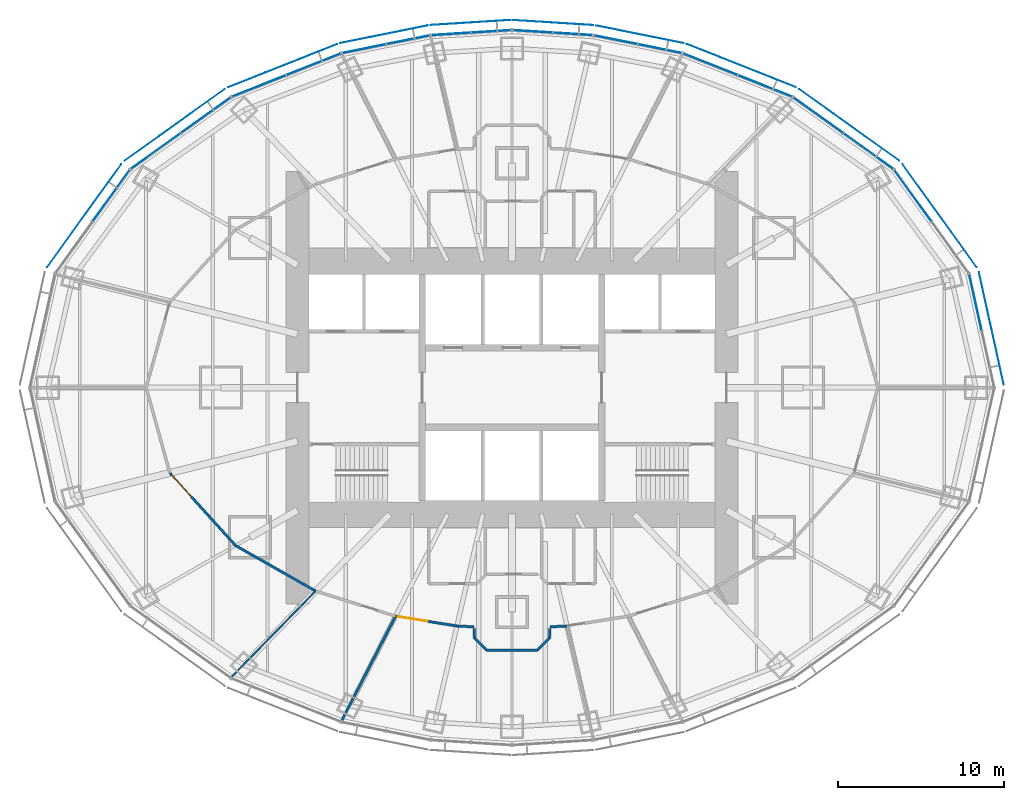
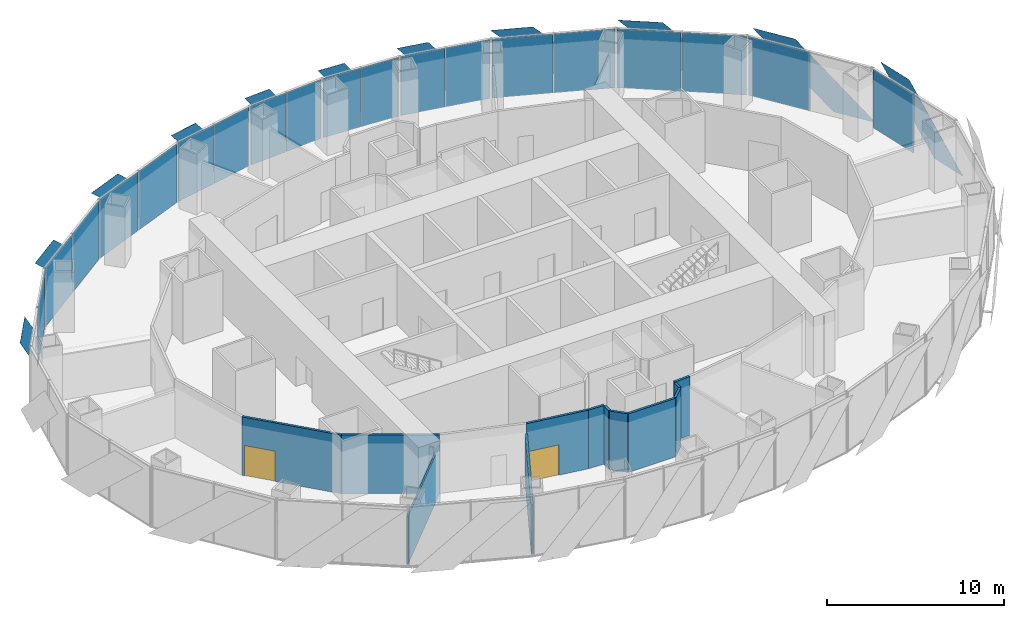
# One storey, part 10 of 18: 30 plates, 12 walls, 2 doors, 2 openings, 11 elements without a shape of their own.
"""IFC4 building model written with IfcOpenShell, lengths in metres."""

from ifc_helpers import new_model, si_unit, direction, frame, frame_2d, origin, origin_2d, place, context, subcontext, project, spatial, polyline, rectangle, outline, extrude, material, layer, layer_set, type_object, element, fill, aggregate, save


model = new_model("IFC4")

# Units and contexts
model_context = context("Model", 3, precision=1e-05, world=origin(), true_north=direction((0.0, 1.0)))
body_context = subcontext(model_context, "Body", "Model", "MODEL_VIEW")
ifc_project = project(units=[si_unit("LENGTHUNIT", "METRE"), si_unit("AREAUNIT", "SQUARE_METRE"), si_unit("VOLUMEUNIT", "CUBIC_METRE"), si_unit("PLANEANGLEUNIT", "RADIAN"), si_unit("MASSUNIT", "GRAM", prefix="KILO")], contexts=[model_context])

# Site, building, storey
site_placement = place(None, origin())
site = spatial("IfcSite", under=ifc_project, at=site_placement, CompositionType="ELEMENT")
building_placement = place(site_placement, origin())
building = spatial("IfcBuilding", under=site, at=building_placement, Name="Lantaw Convention Tower", CompositionType="ELEMENT")
storey_placement = place(building_placement, frame((0.0, 0.0, 167.800048828125)))
storey = spatial("IfcBuildingStorey", under=building, at=storey_placement, Name="L39", CompositionType="ELEMENT", Elevation=167.800048828125)

# Curtain wall, plate
ifc_material_1 = material(Name="Aluminium framed curtain wall", Category="aluminium")
curtain_wall_type = type_object("IfcCurtainWallType", Name="Office curtain wall low rise, pale aluminium", PredefinedType="USERDEFINED", material=ifc_material_1)
curtain_wall_1_placement = place(storey_placement, origin())
curtain_wall_1 = element("IfcCurtainWall", 1, at=curtain_wall_1_placement, inside=storey, type_object=curtain_wall_type, Name="Office curtain wall low rise, pale aluminium L39", ObjectType="UNITISED CURTAIN WALL", PredefinedType="USERDEFINED")
ifc_material_2 = material(Name="Clear insulating glass", Category="glass")
ifc_layer_1 = layer(ifc_material_2, 0.028076171875)
ifc_layer_set_1 = layer_set([ifc_layer_1], Name="CW-O1 panel 28")
plate_type_1 = type_object("IfcPlateType", Name="CW-O1 panel 28", PredefinedType="CURTAIN_PANEL", material=ifc_layer_set_1)
plate_1_placement = place(storey_placement, frame((27.868896484375, 5.1240234375, -0.0849609375), z_axis=(0.0, 0.0, 1.0), x_axis=(-0.215546166174, 0.9764936509, 0.0)))
plate_1 = element("IfcPlate", 2, at=plate_1_placement, type_object=plate_type_1, Name="CW-O1 panel 2.1", PredefinedType="CURTAIN_PANEL", context=body_context, shape_type="SweptSolid", body=[
    extrude(rectangle(XDim=3.41162109375, YDim=0.028076171875, at=origin_2d()), origin(), (0.0, 0.0, 1.0), 4.070068359375),
])
aggregate(curtain_wall_1, [plate_1])

curtain_wall_2_placement = place(storey_placement, origin())
curtain_wall_2 = element("IfcCurtainWall", 3, at=curtain_wall_2_placement, inside=storey, type_object=curtain_wall_type, Name="Office curtain wall low rise, pale aluminium L39", ObjectType="UNITISED CURTAIN WALL", PredefinedType="USERDEFINED")
plate_2_placement = place(storey_placement, frame((24.108154296875, 11.5439453125, -0.0849609375), z_axis=(0.0, 0.0, 1.0), x_axis=(-0.584512597221, 0.811384633629, 0.0)))
plate_2 = element("IfcPlate", 4, at=plate_2_placement, type_object=plate_type_1, Name="CW-O1 panel 2.1", PredefinedType="CURTAIN_PANEL", context=body_context, shape_type="SweptSolid", body=[
    extrude(rectangle(XDim=3.767333984375, YDim=0.028076171875, at=origin_2d()), origin(), (0.0, 0.0, 1.0), 4.070068359375),
])
aggregate(curtain_wall_2, [plate_2])

# Curtain wall, plates
curtain_wall_3_placement = place(storey_placement, origin())
curtain_wall_3 = element("IfcCurtainWall", 5, at=curtain_wall_3_placement, inside=storey, type_object=curtain_wall_type, Name="Office curtain wall low rise, pale aluminium L39", ObjectType="UNITISED CURTAIN WALL", PredefinedType="USERDEFINED")
plate_3_placement = place(storey_placement, frame((21.43408203125, 14.2236328125, -0.0849609375), z_axis=(0.0, 0.0, 1.0), x_axis=(-0.813208325995, 0.581972695693, 0.0)))
plate_3 = element("IfcPlate", 6, at=plate_3_placement, type_object=plate_type_1, Name="CW-O1 panel 1.1", PredefinedType="CURTAIN_PANEL", context=body_context, shape_type="SweptSolid", body=[
    extrude(rectangle(XDim=3.645263671875, YDim=0.028076171875, at=origin_2d()), origin(), (0.0, 0.0, 1.0), 4.070068359375),
])
plate_4_placement = place(storey_placement, frame((18.416748046875, 16.383056640625, -0.0849609375), z_axis=(0.0, 0.0, 1.0), x_axis=(-0.813208325995, 0.581972695693, 0.0)))
plate_4 = element("IfcPlate", 7, at=plate_4_placement, type_object=plate_type_1, Name="CW-O1 panel 2.1", PredefinedType="CURTAIN_PANEL", context=body_context, shape_type="SweptSolid", body=[
    extrude(rectangle(XDim=3.645263671875, YDim=0.028076171875, at=origin_2d()), origin(), (0.0, 0.0, 1.0), 4.070068359375),
])
aggregate(curtain_wall_3, [plate_3, plate_4])

curtain_wall_4_placement = place(storey_placement, origin())
curtain_wall_4 = element("IfcCurtainWall", 8, at=curtain_wall_4_placement, inside=storey, type_object=curtain_wall_type, Name="Office curtain wall low rise, pale aluminium L39", ObjectType="UNITISED CURTAIN WALL", PredefinedType="USERDEFINED")
plate_5_placement = place(storey_placement, frame((15.208251953125, 18.145263671875, -0.0849609375), z_axis=(0.0, 0.0, 1.0), x_axis=(-0.929547687544, 0.368701907483, 0.0)))
plate_5 = element("IfcPlate", 9, at=plate_5_placement, type_object=plate_type_1, Name="CW-O1 panel 1.1", PredefinedType="CURTAIN_PANEL", context=body_context, shape_type="SweptSolid", body=[
    extrude(rectangle(XDim=3.470703125, YDim=0.028076171875, at=origin_2d()), origin(), (0.0, 0.0, 1.0), 4.070068359375),
])
plate_6_placement = place(storey_placement, frame((11.921630859375, 19.448974609375, -0.0849609375), z_axis=(0.0, 0.0, 1.0), x_axis=(-0.929547687544, 0.368701907483, 0.0)))
plate_6 = element("IfcPlate", 10, at=plate_6_placement, type_object=plate_type_1, Name="CW-O1 panel 2.1", PredefinedType="CURTAIN_PANEL", context=body_context, shape_type="SweptSolid", body=[
    extrude(rectangle(XDim=3.470703125, YDim=0.028076171875, at=origin_2d()), origin(), (0.0, 0.0, 1.0), 4.070068359375),
])
aggregate(curtain_wall_4, [plate_5, plate_6])

curtain_wall_5_placement = place(storey_placement, origin())
curtain_wall_5 = element("IfcCurtainWall", 11, at=curtain_wall_5_placement, inside=storey, type_object=curtain_wall_type, Name="Office curtain wall low rise, pale aluminium L39", ObjectType="UNITISED CURTAIN WALL", PredefinedType="USERDEFINED")
plate_7_placement = place(storey_placement, frame((8.893310546875, 20.3857421875, -0.0849609375), z_axis=(0.0, 0.0, 1.0), x_axis=(-0.980301514912, 0.197506809659, 0.0)))
plate_7 = element("IfcPlate", 12, at=plate_7_placement, type_object=plate_type_1, Name="CW-O1 panel 1.1", PredefinedType="CURTAIN_PANEL", context=body_context, shape_type="SweptSolid", body=[
    extrude(rectangle(XDim=2.634033203125, YDim=0.028076171875, at=origin_2d()), origin(), (0.0, 0.0, 1.0), 4.070068359375),
])
plate_8_placement = place(storey_placement, frame((6.247314453125, 20.9189453125, -0.0849609375), z_axis=(0.0, 0.0, 1.0), x_axis=(-0.980301514912, 0.197506809659, 0.0)))
plate_8 = element("IfcPlate", 13, at=plate_8_placement, type_object=plate_type_1, Name="CW-O1 panel 2.1", PredefinedType="CURTAIN_PANEL", context=body_context, shape_type="SweptSolid", body=[
    extrude(rectangle(XDim=2.634033203125, YDim=0.028076171875, at=origin_2d()), origin(), (0.0, 0.0, 1.0), 4.070068359375),
])
aggregate(curtain_wall_5, [plate_7, plate_8])

curtain_wall_6_placement = place(storey_placement, origin())
curtain_wall_6 = element("IfcCurtainWall", 14, at=curtain_wall_6_placement, inside=storey, type_object=curtain_wall_type, Name="Office curtain wall low rise, pale aluminium L39", ObjectType="UNITISED CURTAIN WALL", PredefinedType="USERDEFINED")
plate_9_placement = place(storey_placement, frame((3.653076171875, 21.269775390625, -0.0849609375), z_axis=(0.0, 0.0, 1.0), x_axis=(-0.998022035978, 0.062865059466, 0.0)))
plate_9 = element("IfcPlate", 15, at=plate_9_placement, type_object=plate_type_1, Name="CW-O1 panel 1.1", PredefinedType="CURTAIN_PANEL", context=body_context, shape_type="SweptSolid", body=[
    extrude(rectangle(XDim=2.353515625, YDim=0.028076171875, at=origin_2d()), origin(), (0.0, 0.0, 1.0), 4.070068359375),
])
plate_10_placement = place(storey_placement, frame((1.2392578125, 21.421875, -0.0849609375), z_axis=(0.0, 0.0, 1.0), x_axis=(-0.998022035978, 0.062865059466, 0.0)))
plate_10 = element("IfcPlate", 16, at=plate_10_placement, type_object=plate_type_1, Name="CW-O1 panel 2.1", PredefinedType="CURTAIN_PANEL", context=body_context, shape_type="SweptSolid", body=[
    extrude(rectangle(XDim=2.353515625, YDim=0.028076171875, at=origin_2d()), origin(), (0.0, 0.0, 1.0), 4.070068359375),
])
aggregate(curtain_wall_6, [plate_9, plate_10])

curtain_wall_7_placement = place(storey_placement, origin())
curtain_wall_7 = element("IfcCurtainWall", 17, at=curtain_wall_7_placement, inside=storey, type_object=curtain_wall_type, Name="Office curtain wall low rise, pale aluminium L39", ObjectType="UNITISED CURTAIN WALL", PredefinedType="USERDEFINED")
plate_11_placement = place(storey_placement, frame((-1.2392578125, 21.421875, -0.0849609375), z_axis=(0.0, 0.0, 1.0), x_axis=(-0.998022035978, -0.062865059466, 0.0)))
plate_11 = element("IfcPlate", 18, at=plate_11_placement, type_object=plate_type_1, Name="CW-O1 panel 1.1", PredefinedType="CURTAIN_PANEL", context=body_context, shape_type="SweptSolid", body=[
    extrude(rectangle(XDim=2.353515625, YDim=0.028076171875, at=origin_2d()), origin(), (0.0, 0.0, 1.0), 4.070068359375),
])
plate_12_placement = place(storey_placement, frame((-3.653076171875, 21.269775390625, -0.0849609375), z_axis=(0.0, 0.0, 1.0), x_axis=(-0.998022035978, -0.062865059466, 0.0)))
plate_12 = element("IfcPlate", 19, at=plate_12_placement, type_object=plate_type_1, Name="CW-O1 panel 2.1", PredefinedType="CURTAIN_PANEL", context=body_context, shape_type="SweptSolid", body=[
    extrude(rectangle(XDim=2.353515625, YDim=0.028076171875, at=origin_2d()), origin(), (0.0, 0.0, 1.0), 4.070068359375),
])
aggregate(curtain_wall_7, [plate_11, plate_12])

curtain_wall_8_placement = place(storey_placement, origin())
curtain_wall_8 = element("IfcCurtainWall", 20, at=curtain_wall_8_placement, inside=storey, type_object=curtain_wall_type, Name="Office curtain wall low rise, pale aluminium L39", ObjectType="UNITISED CURTAIN WALL", PredefinedType="USERDEFINED")
plate_13_placement = place(storey_placement, frame((-6.247314453125, 20.9189453125, -0.0849609375), z_axis=(0.0, 0.0, 1.0), x_axis=(-0.980301514912, -0.197506809659, 0.0)))
plate_13 = element("IfcPlate", 21, at=plate_13_placement, type_object=plate_type_1, Name="CW-O1 panel 1.1", PredefinedType="CURTAIN_PANEL", context=body_context, shape_type="SweptSolid", body=[
    extrude(rectangle(XDim=2.634033203125, YDim=0.028076171875, at=origin_2d()), origin(), (0.0, 0.0, 1.0), 4.070068359375),
])
plate_14_placement = place(storey_placement, frame((-8.893310546875, 20.3857421875, -0.0849609375), z_axis=(0.0, 0.0, 1.0), x_axis=(-0.980301514912, -0.197506809659, 0.0)))
plate_14 = element("IfcPlate", 22, at=plate_14_placement, type_object=plate_type_1, Name="CW-O1 panel 2.1", PredefinedType="CURTAIN_PANEL", context=body_context, shape_type="SweptSolid", body=[
    extrude(rectangle(XDim=2.634033203125, YDim=0.028076171875, at=origin_2d()), origin(), (0.0, 0.0, 1.0), 4.070068359375),
])
aggregate(curtain_wall_8, [plate_13, plate_14])

curtain_wall_9_placement = place(storey_placement, origin())
curtain_wall_9 = element("IfcCurtainWall", 23, at=curtain_wall_9_placement, inside=storey, type_object=curtain_wall_type, Name="Office curtain wall low rise, pale aluminium L39", ObjectType="UNITISED CURTAIN WALL", PredefinedType="USERDEFINED")
plate_15_placement = place(storey_placement, frame((-11.921630859375, 19.448974609375, -0.0849609375), z_axis=(0.0, 0.0, 1.0), x_axis=(-0.929547687544, -0.368701907483, 0.0)))
plate_15 = element("IfcPlate", 24, at=plate_15_placement, type_object=plate_type_1, Name="CW-O1 panel 1.1", PredefinedType="CURTAIN_PANEL", context=body_context, shape_type="SweptSolid", body=[
    extrude(rectangle(XDim=3.470703125, YDim=0.028076171875, at=origin_2d()), origin(), (0.0, 0.0, 1.0), 4.070068359375),
])
plate_16_placement = place(storey_placement, frame((-15.208251953125, 18.145263671875, -0.0849609375), z_axis=(0.0, 0.0, 1.0), x_axis=(-0.929547687544, -0.368701907483, 0.0)))
plate_16 = element("IfcPlate", 25, at=plate_16_placement, type_object=plate_type_1, Name="CW-O1 panel 2.1", PredefinedType="CURTAIN_PANEL", context=body_context, shape_type="SweptSolid", body=[
    extrude(rectangle(XDim=3.470703125, YDim=0.028076171875, at=origin_2d()), origin(), (0.0, 0.0, 1.0), 4.070068359375),
])
aggregate(curtain_wall_9, [plate_15, plate_16])

curtain_wall_10_placement = place(storey_placement, origin())
curtain_wall_10 = element("IfcCurtainWall", 26, at=curtain_wall_10_placement, inside=storey, type_object=curtain_wall_type, Name="Office curtain wall low rise, pale aluminium L39", ObjectType="UNITISED CURTAIN WALL", PredefinedType="USERDEFINED")
plate_17_placement = place(storey_placement, frame((-18.416748046875, 16.383056640625, -0.0849609375), z_axis=(0.0, 0.0, 1.0), x_axis=(-0.813208325995, -0.581972695693, 0.0)))
plate_17 = element("IfcPlate", 27, at=plate_17_placement, type_object=plate_type_1, Name="CW-O1 panel 1.1", PredefinedType="CURTAIN_PANEL", context=body_context, shape_type="SweptSolid", body=[
    extrude(rectangle(XDim=3.645263671875, YDim=0.028076171875, at=origin_2d()), origin(), (0.0, 0.0, 1.0), 4.070068359375),
])
plate_18_placement = place(storey_placement, frame((-21.43408203125, 14.2236328125, -0.0849609375), z_axis=(0.0, 0.0, 1.0), x_axis=(-0.813208325995, -0.581972695693, 0.0)))
plate_18 = element("IfcPlate", 28, at=plate_18_placement, type_object=plate_type_1, Name="CW-O1 panel 2.1", PredefinedType="CURTAIN_PANEL", context=body_context, shape_type="SweptSolid", body=[
    extrude(rectangle(XDim=3.645263671875, YDim=0.028076171875, at=origin_2d()), origin(), (0.0, 0.0, 1.0), 4.070068359375),
])
aggregate(curtain_wall_10, [plate_17, plate_18])

# Curtain wall, plate
curtain_wall_11_placement = place(storey_placement, origin())
curtain_wall_11 = element("IfcCurtainWall", 29, at=curtain_wall_11_placement, inside=storey, type_object=curtain_wall_type, Name="Office curtain wall low rise, pale aluminium L39", ObjectType="UNITISED CURTAIN WALL", PredefinedType="USERDEFINED")
plate_19_placement = place(storey_placement, frame((-24.108154296875, 11.5439453125, -0.0849609375), z_axis=(0.0, 0.0, 1.0), x_axis=(-0.584512597221, -0.811384633629, 0.0)))
plate_19 = element("IfcPlate", 30, at=plate_19_placement, type_object=plate_type_1, Name="CW-O1 panel 1.1", PredefinedType="CURTAIN_PANEL", context=body_context, shape_type="SweptSolid", body=[
    extrude(rectangle(XDim=3.767333984375, YDim=0.028076171875, at=origin_2d()), origin(), (0.0, 0.0, 1.0), 4.070068359375),
])
aggregate(curtain_wall_11, [plate_19])

# Plates
ifc_material_3 = material(Name="Perforated aluminium sheet, pale silver finish", Category="aluminium")
ifc_layer_2 = layer(ifc_material_3, 0.006103515625)
ifc_layer_set_2 = layer_set([ifc_layer_2], Name="Perforated aluminium solar SCREEN panel")
plate_type_2 = type_object("IfcPlateType", Name="Perforated aluminium solar SCREEN panel", PredefinedType="SHEET", material=ifc_layer_set_2)
plate_20_placement = place(storey_placement, frame((29.5810546875, 0.179443359375, -0.175048828125), z_axis=(0.976497812463, 0.215527309509, 3.332717e-05), x_axis=(-0.215527309629, 0.976497813005, 1.665e-09)))
element("IfcPlate", 31, at=plate_20_placement, inside=storey, type_object=plate_type_2, Name="Solar SCREEN panel", PredefinedType="SHEET", context=body_context, shape_type="SweptSolid", body=[
    extrude(outline(polyline([(0.0, 0.0), (2.3861843673609986, 3.3881317890172014e-21), (6.918240190546627, 4.340087881517419), (4.532108442157707, 4.340087889462621), (0.0, 0.0)])), origin(), (0.0, 0.0, -1.0), 0.006103515625),
])
plate_21_placement = place(storey_placement, frame((27.94970703125, 7.248046875, -0.175048828125), z_axis=(0.81139512159, 0.584498037099, 3.5886784e-05), x_axis=(-0.584498037475, 0.811395122112, -9.74e-10)))
element("IfcPlate", 32, at=plate_21_placement, inside=storey, type_object=plate_type_2, Name="Solar SCREEN panel", PredefinedType="SHEET", context=body_context, shape_type="SweptSolid", body=[
    extrude(outline(polyline([(0.0, 0.0), (2.628222178575422, -6.776263578034403e-21), (7.629778257969264, 4.340087900852944), (5.001754173906077, 4.340087895732103), (0.0, 0.0)])), origin(), (0.0, 0.0, -1.0), 0.006103515625),
])
plate_22_placement = place(storey_placement, frame((23.281005859375, 13.64697265625, -0.175048828125), z_axis=(0.582000183937, 0.813188653244, 1.1537145e-05), x_axis=(-0.813188653298, 0.582000183975, 0.0)))
element("IfcPlate", 33, at=plate_22_placement, inside=storey, type_object=plate_type_2, Name="Solar SCREEN panel", PredefinedType="SHEET", context=body_context, shape_type="SweptSolid", body=[
    extrude(outline(polyline([(0.0, 0.0), (2.5450183911586484, 0.0), (7.385531276904658, 4.340087890913846), (4.840512885746009, 4.340087890913846), (0.0, 0.0)])), origin(), (0.0, 0.0, -1.0), 0.006103515625),
])
plate_23_placement = place(storey_placement, frame((17.05859375, 18.063232421875, -0.175048828125), z_axis=(-0.368708915367, -0.929544907797, 1.086705e-05), x_axis=(-0.929544907851, 0.368708915389, 7.1e-10)))
element("IfcPlate", 34, at=plate_23_placement, inside=storey, type_object=plate_type_2, Name="Solar SCREEN panel", PredefinedType="SHEET", context=body_context, shape_type="SweptSolid", body=[
    extrude(outline(polyline([(0.0, 0.0), (2.4263803793049097, -1.6940658945086007e-21), (7.036549629566982, -4.340087885886879), (4.61003232741235, -4.340087889331358), (0.0, 0.0)])), origin(), (0.0, 0.0, -1.0), 0.006103515625),
])
plate_24_placement = place(storey_placement, frame((10.318603515625, 20.716796875, -0.175048828125), z_axis=(0.197556725442, 0.980291455983, 3.9483498e-05), x_axis=(-0.980291456747, 0.197556725596, 0.0)))
element("IfcPlate", 35, at=plate_24_placement, inside=storey, type_object=plate_type_2, Name="Solar SCREEN panel", PredefinedType="SHEET", context=body_context, shape_type="SweptSolid", body=[
    extrude(outline(polyline([(0.0, 0.0), (1.8574075788555457, 3.3881317890172014e-21), (5.362987026845185, 4.340087894007983), (3.505579447989639, 4.340087894007983), (0.0, 0.0)])), origin(), (0.0, 0.0, -1.0), 0.006103515625),
])
plate_25_placement = place(storey_placement, frame((4.880615234375, 21.7998046875, -0.175048828125), z_axis=(0.062838799866, 0.998023689713, 1.755059e-06), x_axis=(-0.998023689715, 0.062838799866, -8e-12)))
element("IfcPlate", 36, at=plate_25_placement, inside=storey, type_object=plate_type_2, Name="Solar SCREEN panel", PredefinedType="SHEET", context=body_context, shape_type="SweptSolid", body=[
    extrude(outline(polyline([(0.0, 0.0), (1.6666243269452135, 2.6469779601696886e-23), (4.802214797186689, 4.340087890670476), (3.135346812114104, 4.340087890643548), (0.0, 0.0)])), origin(), (0.0, 0.0, -1.0), 0.006103515625),
])
plate_26_placement = place(storey_placement, frame((-0.087890625, 22.1015625, -0.175048828125), z_axis=(0.062838799866, -0.998023689713, 1.755059e-06), x_axis=(-0.998023689715, -0.062838799866, 8e-12)))
element("IfcPlate", 37, at=plate_26_placement, inside=storey, type_object=plate_type_2, Name="Solar SCREEN panel", PredefinedType="SHEET", context=body_context, shape_type="SweptSolid", body=[
    extrude(outline(polyline([(0.0, 0.0), (1.6668679850725854, -5.293955920339377e-23), (4.802214797256801, -4.340087890592899), (3.1355904703115876, -4.340087890619822), (0.0, 0.0)])), origin(), (0.0, 0.0, -1.0), 0.006103515625),
])
plate_27_placement = place(storey_placement, frame((-5.061279296875, 21.776123046875, -0.175048828125), z_axis=(0.197556725442, -0.980291455983, 3.9483498e-05), x_axis=(-0.980291456747, -0.197556725596, 0.0)))
element("IfcPlate", 38, at=plate_27_placement, inside=storey, type_object=plate_type_2, Name="Solar SCREEN panel", PredefinedType="SHEET", context=body_context, shape_type="SweptSolid", body=[
    extrude(outline(polyline([(0.0, 0.0), (1.8574075788555457, -3.3881317890172014e-21), (5.362987026845185, -4.340087894007983), (3.505579447989639, -4.340087894007983), (0.0, 0.0)])), origin(), (0.0, 0.0, -1.0), 0.006103515625),
])
plate_28_placement = place(storey_placement, frame((-10.517822265625, 20.65771484375, -0.175048828125), z_axis=(-0.368708915367, 0.929544907797, 1.086705e-05), x_axis=(-0.929544907851, -0.368708915389, -7.1e-10)))
element("IfcPlate", 39, at=plate_28_placement, inside=storey, type_object=plate_type_2, Name="Solar SCREEN panel", PredefinedType="SHEET", context=body_context, shape_type="SweptSolid", body=[
    extrude(outline(polyline([(0.0, 0.0), (2.426517302154632, -1.6940658945086007e-21), (7.036549623406159, 4.340087895875372), (4.610169244101249, 4.340087892431086), (0.0, 0.0)])), origin(), (0.0, 0.0, -1.0), 0.006103515625),
])
plate_29_placement = place(storey_placement, frame((-17.275146484375, 17.9453125, -0.175048828125), z_axis=(0.582000183937, -0.813188653244, 1.1537145e-05), x_axis=(-0.813188653298, -0.582000183975, 0.0)))
element("IfcPlate", 40, at=plate_29_placement, inside=storey, type_object=plate_type_2, Name="Solar SCREEN panel", PredefinedType="SHEET", context=body_context, shape_type="SweptSolid", body=[
    extrude(outline(polyline([(0.0, 0.0), (2.5450183911586484, 0.0), (7.385531276904658, -4.340087890913846), (4.840512885746009, -4.340087890913846), (0.0, 0.0)])), origin(), (0.0, 0.0, -1.0), 0.006103515625),
])
plate_30_placement = place(storey_placement, frame((-23.489990234375, 13.438720703125, -0.175048828125), z_axis=(0.81139512159, -0.584498037099, 3.5886784e-05), x_axis=(-0.584498037475, -0.811395122112, 9.74e-10)))
element("IfcPlate", 41, at=plate_30_placement, inside=storey, type_object=plate_type_2, Name="Solar SCREEN panel", PredefinedType="SHEET", context=body_context, shape_type="SweptSolid", body=[
    extrude(outline(polyline([(0.0, 0.0), (2.6280240840631874, -6.776263578034403e-21), (7.6297782664261495, -4.340087885985926), (5.0015560878507275, -4.340087891107152), (0.0, 0.0)])), origin(), (0.0, 0.0, -1.0), 0.006103515625),
])

# Wall, opening, door
ifc_material_4 = material(Name="Gypsum board on steel studs, fire rated", Category="steel")
ifc_layer_3 = layer(ifc_material_4, 0.14990234375)
ifc_layer_set_3 = layer_set([ifc_layer_3], Name="Corridor wall 150 EI 60")
wall_type_1 = type_object("IfcWallType", Name="Corridor wall 150 EI 60", PredefinedType="PARTITIONING", material=ifc_layer_set_3)
wall_1_placement = place(storey_placement, frame((-20.576904296875, -5.13037109375, 0.0), z_axis=(0.0, 0.0, 1.0), x_axis=(0.671118353743, -0.741350224435, 0.0)))
wall_1 = element("IfcWall", 42, at=wall_1_placement, inside=storey, type_object=wall_type_1, Name="Corridor wall 150", PredefinedType="PARTITIONING", context=body_context, shape_type="SweptSolid", body=[
    extrude(rectangle(XDim=5.89208984375, YDim=0.14990234375, at=frame_2d((2.946044921875, 0.0))), origin(), (0.0, 0.0, 1.0), 4.050048828125),
])
opening_1_placement = place(wall_1_placement, frame((0.14990234375, 0.0, 0.0)))
opening_1 = element("IfcOpeningElement", 43, at=opening_1_placement, cuts=wall_1, Name="Opening L39.28", PredefinedType="OPENING", context=body_context, shape_type="SweptSolid", body=[
    extrude(rectangle(XDim=1.800048828125, YDim=2.10009765625, at=frame_2d((0.89990234375, 1.050048828125))), frame((0.0, 0.0849609375, 0.0), z_axis=(0.0, -1.0, 0.0), x_axis=(1.0, 0.0, 0.0)), (0.0, 0.0, 1.0), 0.169921875),
])
ifc_material_5 = material(Name="Steel, fire rated", Category="steel")
door_type = type_object("IfcDoorType", Name="Office double door 1800 FD30", OperationType="DOUBLE_DOOR_DOUBLE_SWING", PredefinedType="DOOR", material=ifc_material_5)
door_1_placement = place(opening_1_placement, origin())
door_1 = element("IfcDoor", 44, at=door_1_placement, inside=storey, type_object=door_type, Name="Tenant suite door", OperationType="DOUBLE_DOOR_DOUBLE_SWING", OverallHeight=2.10009765625, OverallWidth=1.800048828125, PredefinedType="DOOR", context=body_context, shape_type="SweptSolid", body=[
    extrude(rectangle(XDim=1.800048828125, YDim=2.10009765625, at=frame_2d((0.89990234375, 1.050048828125))), frame((0.0, 0.02490234375, 0.0), z_axis=(0.0, -1.0, 0.0), x_axis=(1.0, 0.0, 0.0)), (0.0, 0.0, 1.0), 0.050048828125),
])
fill(opening_1, door_1)

# Wall
wall_2_placement = place(storey_placement, frame((-16.62255859375, -9.49853515625, 0.0), z_axis=(0.0, 0.0, 1.0), x_axis=(0.869375991036, -0.494151177485, 0.0)))
element("IfcWall", 45, at=wall_2_placement, inside=storey, type_object=wall_type_1, Name="Corridor wall 150", PredefinedType="PARTITIONING", context=body_context, shape_type="SweptSolid", body=[
    extrude(rectangle(XDim=5.532470703125, YDim=0.14990234375, at=frame_2d((2.76611328125, 0.0))), origin(), (0.0, 0.0, 1.0), 4.050048828125),
])

# Wall, opening, door
wall_3_placement = place(storey_placement, frame((-7.003662109375, -13.74560546875, 0.0), z_axis=(0.0, 0.0, 1.0), x_axis=(0.987511396594, -0.157547585181, 0.0)))
wall_3 = element("IfcWall", 46, at=wall_3_placement, inside=storey, type_object=wall_type_1, Name="Corridor wall 150", PredefinedType="PARTITIONING", context=body_context, shape_type="SweptSolid", body=[
    extrude(rectangle(XDim=3.74072265625, YDim=0.14990234375, at=frame_2d((1.870361328125, 0.0))), origin(), (0.0, 0.0, 1.0), 4.050048828125),
])
opening_2_placement = place(wall_3_placement, frame((0.14990234375, 0.0, 0.0)))
opening_2 = element("IfcOpeningElement", 47, at=opening_2_placement, cuts=wall_3, Name="Opening L39.30", PredefinedType="OPENING", context=body_context, shape_type="SweptSolid", body=[
    extrude(rectangle(XDim=1.800048828125, YDim=2.10009765625, at=frame_2d((0.89990234375, 1.050048828125))), frame((0.0, 0.0849609375, 0.0), z_axis=(0.0, -1.0, 0.0), x_axis=(1.0, 0.0, 0.0)), (0.0, 0.0, 1.0), 0.169921875),
])
door_2_placement = place(opening_2_placement, origin())
door_2 = element("IfcDoor", 48, at=door_2_placement, inside=storey, type_object=door_type, Name="Tenant suite door", OperationType="DOUBLE_DOOR_DOUBLE_SWING", OverallHeight=2.10009765625, OverallWidth=1.800048828125, PredefinedType="DOOR", context=body_context, shape_type="SweptSolid", body=[
    extrude(rectangle(XDim=1.800048828125, YDim=2.10009765625, at=frame_2d((0.89990234375, 1.050048828125))), frame((0.0, 0.02490234375, 0.0), z_axis=(0.0, -1.0, 0.0), x_axis=(1.0, 0.0, 0.0)), (0.0, 0.0, 1.0), 0.050048828125),
])
fill(opening_2, door_2)

# Walls
for number, where, z_axis, x_axis, name in (
    (49, (-3.3095703125, -14.3349609375, 0.0), (0.0, 0.0, 1.0), (0.998761909217, -0.049745841003, 0.0), "Corridor wall 150"),
    (50, (2.294921875, -14.385498046875, 0.0), (0.0, 0.0, 1.0), (0.998761909217, 0.049745841003, 0.0), "Corridor wall 150"),
):
    element("IfcWall", number, at=place(storey_placement, frame(where, z_axis=z_axis, x_axis=x_axis)), inside=storey, type_object=wall_type_1, Name=name, PredefinedType="PARTITIONING", context=body_context, shape_type="SweptSolid", body=[
        extrude(rectangle(XDim=1.015869140625, YDim=0.14990234375, at=frame_2d((0.5078125, 0.0))), origin(), (0.0, 0.0, 1.0), 4.050048828125),
    ])
for number, where, z_axis, x_axis, name in (
    (51, (-2.284912109375, -15.0322265625, 0.0), (0.0, 0.0, 1.0), (0.0, 1.0, 0.0), "Corridor wall 150"),
    (52, (2.284912109375, -14.487060546875, 0.0), (0.0, 0.0, 1.0), (0.0, -1.0, 0.0), "Corridor wall 150"),
):
    element("IfcWall", number, at=place(storey_placement, frame(where, z_axis=z_axis, x_axis=x_axis)), inside=storey, type_object=wall_type_1, Name=name, PredefinedType="PARTITIONING", context=body_context, shape_type="SweptSolid", body=[
        extrude(rectangle(XDim=0.545166015625, YDim=0.14990234375, at=frame_2d((0.2724609375, 0.0))), origin(), (0.0, 0.0, 1.0), 4.050048828125),
    ])
wall_4_placement = place(storey_placement, frame((2.284912109375, -15.0322265625, 0.0), z_axis=(0.0, 0.0, 1.0), x_axis=(-0.707106781187, -0.707106781187, 0.0)))
element("IfcWall", 53, at=wall_4_placement, inside=storey, type_object=wall_type_1, Name="Corridor wall 150", PredefinedType="PARTITIONING", context=body_context, shape_type="SweptSolid", body=[
    extrude(rectangle(XDim=1.064453125, YDim=0.14990234375, at=frame_2d((0.5322265625, 0.0))), origin(), (0.0, 0.0, 1.0), 4.050048828125),
])
wall_5_placement = place(storey_placement, frame((1.5322265625, -15.784912109375, 0.0), z_axis=(0.0, 0.0, 1.0), x_axis=(-1.0, 0.0, 0.0)))
element("IfcWall", 54, at=wall_5_placement, inside=storey, type_object=wall_type_1, Name="Corridor wall 150", PredefinedType="PARTITIONING", context=body_context, shape_type="SweptSolid", body=[
    extrude(rectangle(XDim=3.064453125, YDim=0.14990234375, at=frame_2d((1.5322265625, 0.0))), origin(), (0.0, 0.0, 1.0), 4.050048828125),
])
wall_6_placement = place(storey_placement, frame((-1.5322265625, -15.784912109375, 0.0), z_axis=(0.0, 0.0, 1.0), x_axis=(-0.707106781187, 0.707106781187, 0.0)))
element("IfcWall", 55, at=wall_6_placement, inside=storey, type_object=wall_type_1, Name="Corridor wall 150", PredefinedType="PARTITIONING", context=body_context, shape_type="SweptSolid", body=[
    extrude(rectangle(XDim=1.064453125, YDim=0.14990234375, at=frame_2d((0.5322265625, 0.0))), origin(), (0.0, 0.0, 1.0), 4.050048828125),
])
ifc_material_6 = material(Name="Gypsum board on steel studs, acoustic", Category="steel")
ifc_layer_4 = layer(ifc_material_6, 0.10009765625)
ifc_layer_set_4 = layer_set([ifc_layer_4], Name="Office partition 100")
wall_type_2 = type_object("IfcWallType", Name="Office partition 100", PredefinedType="PARTITIONING", material=ifc_layer_set_4)
wall_7_placement = place(storey_placement, frame((-16.88232421875, -17.413818359375, 0.0), z_axis=(0.0, 0.0, 1.0), x_axis=(0.699352142517, 0.714777294517, 0.0)))
element("IfcWall", 56, at=wall_7_placement, inside=storey, type_object=wall_type_2, Name="Office partition 100", PredefinedType="PARTITIONING", context=body_context, shape_type="SweptSolid", body=[
    extrude(rectangle(XDim=7.2490234375, YDim=0.10009765625, at=frame_2d((3.62451171875, 0.0))), origin(), (0.0, 0.0, 1.0), 3.321044921875),
])
ifc_layer_5 = layer(ifc_material_4, 0.14990234375)
ifc_layer_set_5 = layer_set([ifc_layer_5], Name="Tenant separation wall 150 EI 60")
wall_type_3 = type_object("IfcWallType", Name="Tenant separation wall 150 EI 60", PredefinedType="PARTITIONING", material=ifc_layer_set_5)
wall_8_placement = place(storey_placement, frame((-10.25341796875, -20.0517578125, 0.0), z_axis=(0.0, 0.0, 1.0), x_axis=(0.458082677592, 0.888909590729, 0.0)))
element("IfcWall", 57, at=wall_8_placement, inside=storey, type_object=wall_type_3, Name="Tenant separation wall 150", PredefinedType="PARTITIONING", context=body_context, shape_type="SweptSolid", body=[
    extrude(rectangle(XDim=7.09423828125, YDim=0.14990234375, at=frame_2d((3.547119140625, 0.0))), origin(), (0.0, 0.0, 1.0), 3.348876953125),
])

save(model, "model.ifc")
